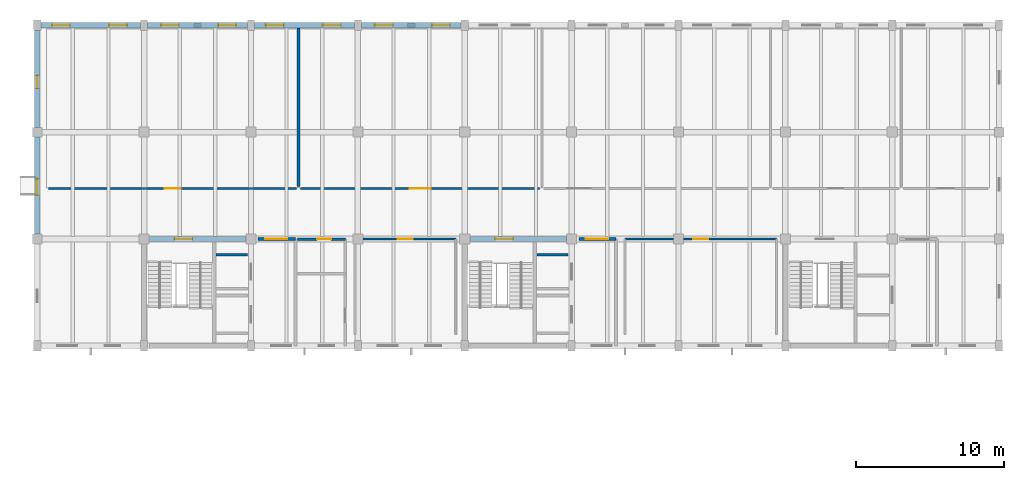
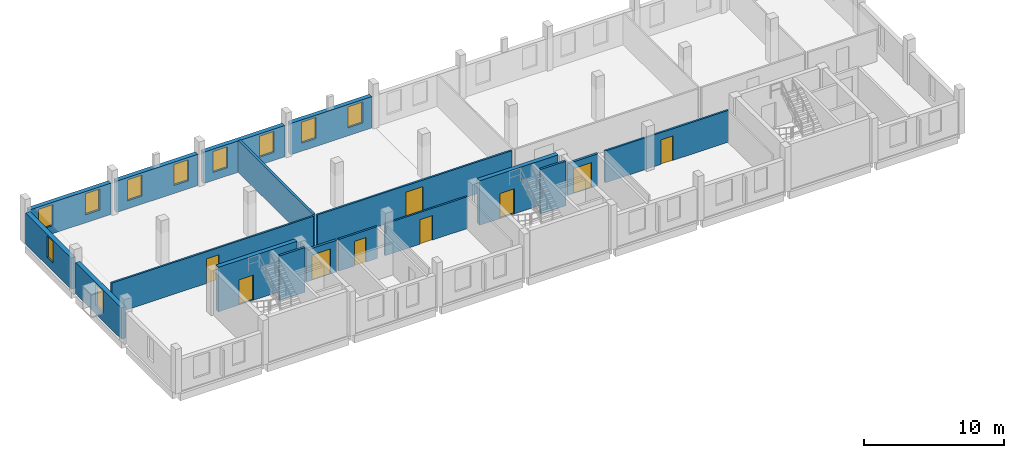
# One storey, part 7 of 11: 18 walls, 10 windows, 9 doors, 19 openings.
"""IFC4 building model written with IfcOpenShell, lengths in metres."""

import ifcopenshell
import ifcopenshell.guid

model = None  # the IFC model being written
_history = None  # IfcOwnerHistory: only IFC2X3 demands one
_inside = {}  # id of a spatial element -> (the spatial element, [elements in it])
_under = {}  # id of a project, library or spatial element -> (it, [spatial elements below it])
_declared = {}  # id of a project -> (the project, [libraries it declares])
_typed = {}  # id of a type object -> (the type object, [elements of that type])
_made_of = {}  # id of a material, layer set ... -> (it, [elements and type objects made of it])


def new_model(schema):
    """Start an empty IFC model of exactly this schema.

    Asked for "IFC4X3", IfcOpenShell would pick the latest addendum, in which some entities
    have other attributes; the version numbers below select the first issue.
    IFC2X3 requires an IfcOwnerHistory on every rooted entity: one is made here for all.
    """
    global model, _history
    if schema == "IFC4X3":
        model = ifcopenshell.file(schema_version=(4, 3, 0, 0))
    else:
        model = ifcopenshell.file(schema=schema)
    _inside.clear()
    _under.clear()
    _declared.clear()
    _typed.clear()
    _made_of.clear()
    _history = None
    if model.schema == "IFC2X3":
        org = make("IfcOrganization", Name="unknown")
        user = make(
            "IfcPersonAndOrganization",
            ThePerson=make("IfcPerson", FamilyName="unknown"),
            TheOrganization=org,
        )
        app = make(
            "IfcApplication",
            ApplicationDeveloper=org,
            Version="unknown",
            ApplicationFullName="unknown",
            ApplicationIdentifier="unknown",
        )
        _history = make(
            "IfcOwnerHistory",
            OwningUser=user,
            OwningApplication=app,
            ChangeAction="ADDED",
            CreationDate=0,
        )
    return model


def make(cls, **values):
    """One entity of the class cls with the attributes given. An attribute that is None is left unset."""
    return model.create_entity(
        cls, **{name: value for name, value in values.items() if value is not None}
    )


def rooted(cls, **values):
    """An entity with a GlobalId (a new one), such as an element, a storey or a relation."""
    return make(cls, GlobalId=ifcopenshell.guid.new(), OwnerHistory=_history, **values)


def si_unit(unit_type, name, prefix=None):
    """IfcSIUnit, for example si_unit("LENGTHUNIT", "METRE", prefix="MILLI")."""
    return make("IfcSIUnit", UnitType=unit_type, Prefix=prefix, Name=name)


def assignment(units):
    """IfcUnitAssignment: the units of a project."""
    return None if units is None else make("IfcUnitAssignment", Units=units)


def point(xyz):
    """IfcCartesianPoint."""
    return None if xyz is None else make("IfcCartesianPoint", Coordinates=xyz)


def direction(xyz):
    """IfcDirection."""
    return None if xyz is None else make("IfcDirection", DirectionRatios=xyz)


def frame(location, z_axis=None, x_axis=None):
    """IfcAxis2Placement3D, a coordinate frame: its origin and axes. An axis left out is left unset."""
    return make(
        "IfcAxis2Placement3D",
        Location=point(location),
        Axis=direction(z_axis),
        RefDirection=direction(x_axis),
    )


def frame_2d(location, x_axis=None):
    """IfcAxis2Placement2D, a coordinate frame in the plane: its origin and x axis."""
    return make(
        "IfcAxis2Placement2D", Location=point(location), RefDirection=direction(x_axis)
    )


def origin():
    """The frame at (0, 0, 0) with its axes left unset."""
    return frame((0.0, 0.0, 0.0))


def place(relative_to, where):
    """IfcLocalPlacement: puts the frame where relative to a parent placement (None: the world)."""
    return make(
        "IfcLocalPlacement", PlacementRelTo=relative_to, RelativePlacement=where
    )


def context(
    kind, dimensions, precision=None, world=None, true_north=None, identifier=None
):
    """IfcGeometricRepresentationContext, for example the 3D "Model" context."""
    return make(
        "IfcGeometricRepresentationContext",
        ContextIdentifier=identifier,
        ContextType=kind,
        CoordinateSpaceDimension=dimensions,
        Precision=precision,
        WorldCoordinateSystem=world,
        TrueNorth=true_north,
    )


def subcontext(parent, identifier, kind, view, scale=None):
    """IfcGeometricRepresentationSubContext, for example "Body" below "Model"."""
    return make(
        "IfcGeometricRepresentationSubContext",
        ContextIdentifier=identifier,
        ContextType=kind,
        ParentContext=parent,
        TargetScale=scale,
        TargetView=view,
    )


def project(units=None, contexts=None):
    """IfcProject with its units and contexts."""
    return rooted(
        "IfcProject",
        Name="project",
        RepresentationContexts=contexts,
        UnitsInContext=assignment(units),
    )


def spatial(cls, under=None, at=None, **own):
    """A site, building, storey or space (cls), placed at a placement, below another one or the project."""
    s = rooted(cls, ObjectPlacement=at, **own)
    if under is not None:
        _under.setdefault(under.id(), (under, []))[1].append(s)
    return s


def profile(cls, at=None, kind="AREA", **sizes):
    """A parametric profile (cls). Its sizes go by their IFC names, for example OverallWidth=200.0."""
    return make(cls, ProfileType=kind, Position=at, **sizes)


def rectangle(**sizes):
    """IfcRectangleProfileDef."""
    return profile("IfcRectangleProfileDef", **sizes)


def extrude(swept, where, along, depth):
    """IfcExtrudedAreaSolid: the profile swept, set in the frame where, extruded along a direction by depth."""
    return make(
        "IfcExtrudedAreaSolid",
        SweptArea=swept,
        Position=where,
        ExtrudedDirection=direction(along),
        Depth=depth,
    )


def shape(context_of_items, identifier, shape_type, items):
    """IfcShapeRepresentation: the items that make up one representation, for example the "Body"."""
    return make(
        "IfcShapeRepresentation",
        ContextOfItems=context_of_items,
        RepresentationIdentifier=identifier,
        RepresentationType=shape_type,
        Items=items,
    )


def material(Name=None, Category=None):
    """IfcMaterial."""
    return make("IfcMaterial", Name=Name, Category=Category)


def layer(
    of_material, thickness, ventilated=None, Name=None, Category=None, Priority=None
):
    """IfcMaterialLayer: one layer of a wall or slab, of a material (None: an air gap)."""
    return make(
        "IfcMaterialLayer",
        Material=of_material,
        LayerThickness=thickness,
        IsVentilated=ventilated,
        Name=Name,
        Category=Category,
        Priority=Priority,
    )


def layer_set(layers, Name=None):
    """IfcMaterialLayerSet."""
    return make("IfcMaterialLayerSet", MaterialLayers=layers, LayerSetName=Name)


def made_of(thing, what):
    """Note that an element or type object is made of a material, layer set ...; save() writes the relation."""
    if what is not None:
        _made_of.setdefault(what.id(), (what, []))[1].append(thing)
    return thing


def type_object(cls, material=None, **own):
    """A type object (cls), such as IfcWallType, which elements share."""
    return made_of(rooted(cls, **own), material)


def element(
    cls,
    number,
    at=None,
    inside=None,
    cuts=None,
    type_object=None,
    material=None,
    context=None,
    identifier="Body",
    shape_type=None,
    held_by="IfcProductDefinitionShape",
    body=None,
    shapes=None,
    **own,
):
    """One element of the class cls, such as IfcWall. Its Tag is "e" and its number.

    at: its placement. inside: the storey or other place that contains it. cuts: it is an
    opening in that element (IfcRelVoidsElement). A single representation is given by context,
    identifier, shape_type and body (its items); several are given by shapes. held_by: the class
    of the entity that holds the representations. save() writes the other relations.
    """
    e = rooted(cls, Tag="e%d" % number, ObjectPlacement=at, **own)
    if body is not None:
        shapes = [shape(context, identifier, shape_type, body)]
    if shapes is not None:
        e.Representation = make(held_by, Representations=shapes)
    if inside is not None:
        _inside.setdefault(inside.id(), (inside, []))[1].append(e)
    if cuts is not None:
        rooted(
            "IfcRelVoidsElement", RelatingBuildingElement=cuts, RelatedOpeningElement=e
        )
    if type_object is not None:
        _typed.setdefault(type_object.id(), (type_object, []))[1].append(e)
    return made_of(e, material)


def fill(opening, filler):
    """IfcRelFillsElement: the door or window that sits in an opening."""
    return rooted(
        "IfcRelFillsElement",
        RelatingOpeningElement=opening,
        RelatedBuildingElement=filler,
    )


def aggregate(whole, parts):
    """IfcRelAggregates: a whole, such as a stair, and the parts it consists of."""
    return rooted("IfcRelAggregates", RelatingObject=whole, RelatedObjects=parts)


def save(model, path):
    """Write the relations noted so far, then the file.

    IfcRelAggregates (storeys below a building ...), IfcRelContainedInSpatialStructure (elements
    in a storey), IfcRelDefinesByType, IfcRelAssociatesMaterial and IfcRelDeclares: one each for
    every whole, place, type object, material and project.
    """
    for whole, parts in _under.values():
        aggregate(whole, parts)
    for where, things in _inside.values():
        rooted(
            "IfcRelContainedInSpatialStructure",
            RelatedElements=things,
            RelatingStructure=where,
        )
    for kind, things in _typed.values():
        rooted("IfcRelDefinesByType", RelatedObjects=things, RelatingType=kind)
    for what, things in _made_of.values():
        rooted("IfcRelAssociatesMaterial", RelatedObjects=things, RelatingMaterial=what)
    for by, libraries in _declared.values():
        rooted("IfcRelDeclares", RelatingContext=by, RelatedDefinitions=libraries)
    model.write(path)


model = new_model("IFC4")

# Units and contexts
model_context = context("Model", 3, precision=1e-05, world=origin(), true_north=direction((0.0, 1.0)))
body_context = subcontext(model_context, "Body", "Model", "MODEL_VIEW")
ifc_project = project(units=[si_unit("LENGTHUNIT", "METRE"), si_unit("AREAUNIT", "SQUARE_METRE"), si_unit("VOLUMEUNIT", "CUBIC_METRE"), si_unit("PLANEANGLEUNIT", "RADIAN"), si_unit("MASSUNIT", "GRAM", prefix="KILO")], contexts=[model_context])

# Site, building, storey
site_placement = place(None, origin())
site = spatial("IfcSite", under=ifc_project, at=site_placement, CompositionType="ELEMENT")
building_placement = place(site_placement, origin())
building = spatial("IfcBuilding", under=site, at=building_placement, Name="Qiaolan Assembly House", CompositionType="ELEMENT")
storey_placement = place(building_placement, frame((0.0, 0.0, 26.39990234375)))
storey = spatial("IfcBuildingStorey", under=building, at=storey_placement, Name="L06", CompositionType="ELEMENT", Elevation=26.39990234375)

# Wall, opening, door
ifc_material_1 = material(Name="Concrete C40/50", Category="concrete")
ifc_layer_1 = layer(ifc_material_1, 0.35009765625)
ifc_layer_set_1 = layer_set([ifc_layer_1], Name="Concrete C40/50")
wall_type_1 = type_object("IfcWallType", Name="WAL-CORE-350", PredefinedType="SHEAR", material=ifc_layer_set_1)
wall_1_placement = place(storey_placement, frame((50.050048828125, 100.800048828125, 0.0), z_axis=(0.0, 0.0, 1.0), x_axis=(-1.0, 0.0, 0.0)))
wall_1 = element("IfcWall", 1, at=wall_1_placement, inside=storey, type_object=wall_type_1, Name="CW-350 shear core wall CORE-A N L06", PredefinedType="SHEAR", context=body_context, shape_type="SweptSolid", body=[
    extrude(rectangle(XDim=6.5, YDim=0.35009765625, at=frame_2d((3.25, 0.0))), origin(), (0.0, 0.0, 1.0), 3.900146484375),
])
opening_1_placement = place(wall_1_placement, frame((3.60009765625, 0.0, 0.0)))
opening_1 = element("IfcOpeningElement", 2, at=opening_1_placement, cuts=wall_1, Name="Opening FD-027", PredefinedType="OPENING", context=body_context, shape_type="SweptSolid", body=[
    extrude(rectangle(XDim=1.199951171875, YDim=2.199951171875, at=frame_2d((0.60009765625, 1.10009765625))), frame((0.0, 0.18505859375, 0.0), z_axis=(0.0, -1.0, 0.0), x_axis=(1.0, 0.0, 0.0)), (0.0, 0.0, 1.0), 0.3701171875),
])
ifc_material_2 = material(Name="Steel Q355B", Category="steel")
door_type_1 = type_object("IfcDoorType", Name="DOR-FIRE-FD90-1200", OperationType="NOTDEFINED", PredefinedType="DOOR", material=ifc_material_2)
door_1_placement = place(opening_1_placement, frame((1.199951171875, 0.0, 0.0), z_axis=(0.0, 0.0, 1.0), x_axis=(-1.0, 0.0, 0.0)))
door_1 = element("IfcDoor", 3, at=door_1_placement, inside=storey, type_object=door_type_1, Name="Stairwell fire door FD-027 (CORE-A L06)", OperationType="SINGLE_SWING_LEFT", OverallHeight=2.199951171875, OverallWidth=1.199951171875, PredefinedType="DOOR", context=body_context, shape_type="SweptSolid", body=[
    extrude(rectangle(XDim=1.199951171875, YDim=2.199951171875, at=frame_2d((0.60009765625, 1.10009765625))), frame((0.0, 0.02490234375, 0.0), z_axis=(0.0, -1.0, 0.0), x_axis=(1.0, 0.0, 0.0)), (0.0, 0.0, 1.0), 0.050048828125),
])
fill(opening_1, door_1)

wall_2_placement = place(storey_placement, frame((71.64990234375, 100.800048828125, 0.0), z_axis=(0.0, 0.0, 1.0), x_axis=(-1.0, 0.0, 0.0)))
wall_2 = element("IfcWall", 4, at=wall_2_placement, inside=storey, type_object=wall_type_1, Name="CW-350 shear core wall CORE-B N L06", PredefinedType="SHEAR", context=body_context, shape_type="SweptSolid", body=[
    extrude(rectangle(XDim=6.5, YDim=0.35009765625, at=frame_2d((3.25, 0.0))), origin(), (0.0, 0.0, 1.0), 3.900146484375),
])
opening_2_placement = place(wall_2_placement, frame((3.60009765625, 0.0, 0.0)))
opening_2 = element("IfcOpeningElement", 5, at=opening_2_placement, cuts=wall_2, Name="Opening FD-049", PredefinedType="OPENING", context=body_context, shape_type="SweptSolid", body=[
    extrude(rectangle(XDim=1.199951171875, YDim=2.199951171875, at=frame_2d((0.60009765625, 1.10009765625))), frame((0.0, 0.18505859375, 0.0), z_axis=(0.0, -1.0, 0.0), x_axis=(1.0, 0.0, 0.0)), (0.0, 0.0, 1.0), 0.3701171875),
])
door_2_placement = place(opening_2_placement, frame((1.199951171875, 0.0, 0.0), z_axis=(0.0, 0.0, 1.0), x_axis=(-1.0, 0.0, 0.0)))
door_2 = element("IfcDoor", 6, at=door_2_placement, inside=storey, type_object=door_type_1, Name="Stairwell fire door FD-049 (CORE-B L06)", OperationType="SINGLE_SWING_RIGHT", OverallHeight=2.199951171875, OverallWidth=1.199951171875, PredefinedType="DOOR", context=body_context, shape_type="SweptSolid", body=[
    extrude(rectangle(XDim=1.199951171875, YDim=2.199951171875, at=frame_2d((0.60009765625, 1.10009765625))), frame((0.0, 0.02490234375, 0.0), z_axis=(0.0, -1.0, 0.0), x_axis=(1.0, 0.0, 0.0)), (0.0, 0.0, 1.0), 0.050048828125),
])
fill(opening_2, door_2)

# Wall, openings, windows
ifc_material_3 = material(Name="Honed pale limestone", Category="masonry")
ifc_layer_2 = layer(ifc_material_3, 0.360107421875)
ifc_layer_set_2 = layer_set([ifc_layer_2], Name="Honed pale limestone")
wall_type_2 = type_object("IfcWallType", Name="WAL-EXT-LIMESTONE-360", PredefinedType="SOLIDWALL", material=ifc_layer_set_2)
wall_3_placement = place(storey_placement, frame((42.9619140625, 115.199951171875, 0.0), z_axis=(0.0, 0.0, 1.0), x_axis=(-1.0, 0.0, 0.0)))
wall_3 = element("IfcWall", 7, at=wall_3_placement, inside=storey, type_object=wall_type_2, Name="EW-360 NW North street wall L06 bay 1", PredefinedType="SOLIDWALL", context=body_context, shape_type="SweptSolid", body=[
    extrude(rectangle(XDim=6.723876953125, YDim=0.360107421875, at=frame_2d((3.36181640625, 0.0))), origin(), (0.0, 0.0, 1.0), 2.739990234375),
])
opening_3_placement = place(wall_3_placement, frame((0.912109375, 0.0, 0.699951171875)))
opening_3 = element("IfcOpeningElement", 8, at=opening_3_placement, cuts=wall_3, Name="Opening WN-188", PredefinedType="OPENING", context=body_context, shape_type="SweptSolid", body=[
    extrude(rectangle(XDim=1.199951171875, YDim=1.840087890625, at=frame_2d((0.60009765625, 0.919921875))), frame((0.0, 0.18994140625, 0.0), z_axis=(0.0, -1.0, 0.0), x_axis=(1.0, 0.0, 0.0)), (0.0, 0.0, 1.0), 0.380126953125),
])
opening_4_placement = place(wall_3_placement, frame((4.761962890625, 0.0, 0.699951171875)))
opening_4 = element("IfcOpeningElement", 9, at=opening_4_placement, cuts=wall_3, Name="Opening WN-189", PredefinedType="OPENING", context=body_context, shape_type="SweptSolid", body=[
    extrude(rectangle(XDim=1.199951171875, YDim=1.840087890625, at=frame_2d((0.60009765625, 0.919921875))), frame((0.0, 0.18994140625, 0.0), z_axis=(0.0, -1.0, 0.0), x_axis=(1.0, 0.0, 0.0)), (0.0, 0.0, 1.0), 0.380126953125),
])
ifc_material_4 = material(Name="Low-E double insulating glass", Category="glass")
window_type_1 = type_object("IfcWindowType", Name="WIN-ATTIC-1200x2100", PartitioningType="DOUBLE_PANEL_VERTICAL", PredefinedType="WINDOW", material=ifc_material_4)
window_1_placement = place(opening_3_placement, origin())
window_1 = element("IfcWindow", 10, at=window_1_placement, inside=storey, type_object=window_type_1, Name="WN-T08 window WN-188", OverallHeight=1.840087890625, OverallWidth=1.199951171875, PartitioningType="DOUBLE_PANEL_VERTICAL", PredefinedType="WINDOW", context=body_context, shape_type="SweptSolid", body=[
    extrude(rectangle(XDim=1.199951171875, YDim=1.840087890625, at=frame_2d((0.60009765625, 0.919921875))), frame((0.0, 0.030029296875, 0.0), z_axis=(0.0, -1.0, 0.0), x_axis=(1.0, 0.0, 0.0)), (0.0, 0.0, 1.0), 0.06005859375),
])
fill(opening_3, window_1)
window_2_placement = place(opening_4_placement, origin())
window_2 = element("IfcWindow", 11, at=window_2_placement, inside=storey, type_object=window_type_1, Name="WN-T08 window WN-189", OverallHeight=1.840087890625, OverallWidth=1.199951171875, PartitioningType="DOUBLE_PANEL_VERTICAL", PredefinedType="WINDOW", context=body_context, shape_type="SweptSolid", body=[
    extrude(rectangle(XDim=1.199951171875, YDim=1.840087890625, at=frame_2d((0.60009765625, 0.919921875))), frame((0.0, 0.030029296875, 0.0), z_axis=(0.0, -1.0, 0.0), x_axis=(1.0, 0.0, 0.0)), (0.0, 0.0, 1.0), 0.06005859375),
])
fill(opening_4, window_2)

wall_4_placement = place(storey_placement, frame((50.162109375, 115.199951171875, 0.0), z_axis=(0.0, 0.0, 1.0), x_axis=(-1.0, 0.0, 0.0)))
wall_4 = element("IfcWall", 12, at=wall_4_placement, inside=storey, type_object=wall_type_2, Name="EW-360 NW North street wall L06 bay 2", PredefinedType="SOLIDWALL", context=body_context, shape_type="SweptSolid", body=[
    extrude(rectangle(XDim=6.72412109375, YDim=0.360107421875, at=frame_2d((3.362060546875, 0.0))), origin(), (0.0, 0.0, 1.0), 2.739990234375),
])
opening_5_placement = place(wall_4_placement, frame((0.761962890625, 0.0, 0.699951171875)))
opening_5 = element("IfcOpeningElement", 13, at=opening_5_placement, cuts=wall_4, Name="Opening WN-190", PredefinedType="OPENING", context=body_context, shape_type="SweptSolid", body=[
    extrude(rectangle(XDim=1.199951171875, YDim=1.840087890625, at=frame_2d((0.60009765625, 0.919921875))), frame((0.0, 0.18994140625, 0.0), z_axis=(0.0, -1.0, 0.0), x_axis=(1.0, 0.0, 0.0)), (0.0, 0.0, 1.0), 0.380126953125),
])
opening_6_placement = place(wall_4_placement, frame((4.612060546875, 0.0, 0.699951171875)))
opening_6 = element("IfcOpeningElement", 14, at=opening_6_placement, cuts=wall_4, Name="Opening WN-191", PredefinedType="OPENING", context=body_context, shape_type="SweptSolid", body=[
    extrude(rectangle(XDim=1.199951171875, YDim=1.840087890625, at=frame_2d((0.60009765625, 0.919921875))), frame((0.0, 0.18994140625, 0.0), z_axis=(0.0, -1.0, 0.0), x_axis=(1.0, 0.0, 0.0)), (0.0, 0.0, 1.0), 0.380126953125),
])
window_3_placement = place(opening_5_placement, origin())
window_3 = element("IfcWindow", 15, at=window_3_placement, inside=storey, type_object=window_type_1, Name="WN-T08 window WN-190", OverallHeight=1.840087890625, OverallWidth=1.199951171875, PartitioningType="DOUBLE_PANEL_VERTICAL", PredefinedType="WINDOW", context=body_context, shape_type="SweptSolid", body=[
    extrude(rectangle(XDim=1.199951171875, YDim=1.840087890625, at=frame_2d((0.60009765625, 0.919921875))), frame((0.0, 0.030029296875, 0.0), z_axis=(0.0, -1.0, 0.0), x_axis=(1.0, 0.0, 0.0)), (0.0, 0.0, 1.0), 0.06005859375),
])
fill(opening_5, window_3)
window_4_placement = place(opening_6_placement, origin())
window_4 = element("IfcWindow", 16, at=window_4_placement, inside=storey, type_object=window_type_1, Name="WN-T08 window WN-191", OverallHeight=1.840087890625, OverallWidth=1.199951171875, PartitioningType="DOUBLE_PANEL_VERTICAL", PredefinedType="WINDOW", context=body_context, shape_type="SweptSolid", body=[
    extrude(rectangle(XDim=1.199951171875, YDim=1.840087890625, at=frame_2d((0.60009765625, 0.919921875))), frame((0.0, 0.030029296875, 0.0), z_axis=(0.0, -1.0, 0.0), x_axis=(1.0, 0.0, 0.0)), (0.0, 0.0, 1.0), 0.06005859375),
])
fill(opening_6, window_4)

wall_5_placement = place(storey_placement, frame((57.362060546875, 115.199951171875, 0.0), z_axis=(0.0, 0.0, 1.0), x_axis=(-1.0, 0.0, 0.0)))
wall_5 = element("IfcWall", 17, at=wall_5_placement, inside=storey, type_object=wall_type_2, Name="EW-360 NW North street wall L06 bay 3", PredefinedType="SOLIDWALL", context=body_context, shape_type="SweptSolid", body=[
    extrude(rectangle(XDim=6.72412109375, YDim=0.360107421875, at=frame_2d((3.362060546875, 0.0))), origin(), (0.0, 0.0, 1.0), 2.739990234375),
])
opening_7_placement = place(wall_5_placement, frame((0.912109375, 0.0, 0.699951171875)))
opening_7 = element("IfcOpeningElement", 18, at=opening_7_placement, cuts=wall_5, Name="Opening WN-192", PredefinedType="OPENING", context=body_context, shape_type="SweptSolid", body=[
    extrude(rectangle(XDim=1.199951171875, YDim=1.840087890625, at=frame_2d((0.60009765625, 0.919921875))), frame((0.0, 0.18994140625, 0.0), z_axis=(0.0, -1.0, 0.0), x_axis=(1.0, 0.0, 0.0)), (0.0, 0.0, 1.0), 0.380126953125),
])
opening_8_placement = place(wall_5_placement, frame((4.761962890625, 0.0, 0.699951171875)))
opening_8 = element("IfcOpeningElement", 19, at=opening_8_placement, cuts=wall_5, Name="Opening WN-193", PredefinedType="OPENING", context=body_context, shape_type="SweptSolid", body=[
    extrude(rectangle(XDim=1.199951171875, YDim=1.840087890625, at=frame_2d((0.60009765625, 0.919921875))), frame((0.0, 0.18994140625, 0.0), z_axis=(0.0, -1.0, 0.0), x_axis=(1.0, 0.0, 0.0)), (0.0, 0.0, 1.0), 0.380126953125),
])
window_5_placement = place(opening_7_placement, origin())
window_5 = element("IfcWindow", 20, at=window_5_placement, inside=storey, type_object=window_type_1, Name="WN-T08 window WN-192", OverallHeight=1.840087890625, OverallWidth=1.199951171875, PartitioningType="DOUBLE_PANEL_VERTICAL", PredefinedType="WINDOW", context=body_context, shape_type="SweptSolid", body=[
    extrude(rectangle(XDim=1.199951171875, YDim=1.840087890625, at=frame_2d((0.60009765625, 0.919921875))), frame((0.0, 0.030029296875, 0.0), z_axis=(0.0, -1.0, 0.0), x_axis=(1.0, 0.0, 0.0)), (0.0, 0.0, 1.0), 0.06005859375),
])
fill(opening_7, window_5)
window_6_placement = place(opening_8_placement, origin())
window_6 = element("IfcWindow", 21, at=window_6_placement, inside=storey, type_object=window_type_1, Name="WN-T08 window WN-193", OverallHeight=1.840087890625, OverallWidth=1.199951171875, PartitioningType="DOUBLE_PANEL_VERTICAL", PredefinedType="WINDOW", context=body_context, shape_type="SweptSolid", body=[
    extrude(rectangle(XDim=1.199951171875, YDim=1.840087890625, at=frame_2d((0.60009765625, 0.919921875))), frame((0.0, 0.030029296875, 0.0), z_axis=(0.0, -1.0, 0.0), x_axis=(1.0, 0.0, 0.0)), (0.0, 0.0, 1.0), 0.06005859375),
])
fill(opening_8, window_6)

wall_6_placement = place(storey_placement, frame((64.56201171875, 115.199951171875, 0.0), z_axis=(0.0, 0.0, 1.0), x_axis=(-1.0, 0.0, 0.0)))
wall_6 = element("IfcWall", 22, at=wall_6_placement, inside=storey, type_object=wall_type_2, Name="EW-360 NW North street wall L06 bay 4", PredefinedType="SOLIDWALL", context=body_context, shape_type="SweptSolid", body=[
    extrude(rectangle(XDim=6.72412109375, YDim=0.360107421875, at=frame_2d((3.362060546875, 0.0))), origin(), (0.0, 0.0, 1.0), 2.739990234375),
])
opening_9_placement = place(wall_6_placement, frame((0.761962890625, 0.0, 0.699951171875)))
opening_9 = element("IfcOpeningElement", 23, at=opening_9_placement, cuts=wall_6, Name="Opening WN-194", PredefinedType="OPENING", context=body_context, shape_type="SweptSolid", body=[
    extrude(rectangle(XDim=1.199951171875, YDim=1.840087890625, at=frame_2d((0.60009765625, 0.919921875))), frame((0.0, 0.18994140625, 0.0), z_axis=(0.0, -1.0, 0.0), x_axis=(1.0, 0.0, 0.0)), (0.0, 0.0, 1.0), 0.380126953125),
])
opening_10_placement = place(wall_6_placement, frame((4.612060546875, 0.0, 0.699951171875)))
opening_10 = element("IfcOpeningElement", 24, at=opening_10_placement, cuts=wall_6, Name="Opening WN-195", PredefinedType="OPENING", context=body_context, shape_type="SweptSolid", body=[
    extrude(rectangle(XDim=1.199951171875, YDim=1.840087890625, at=frame_2d((0.60009765625, 0.919921875))), frame((0.0, 0.18994140625, 0.0), z_axis=(0.0, -1.0, 0.0), x_axis=(1.0, 0.0, 0.0)), (0.0, 0.0, 1.0), 0.380126953125),
])
window_7_placement = place(opening_9_placement, origin())
window_7 = element("IfcWindow", 25, at=window_7_placement, inside=storey, type_object=window_type_1, Name="WN-T08 window WN-194", OverallHeight=1.840087890625, OverallWidth=1.199951171875, PartitioningType="DOUBLE_PANEL_VERTICAL", PredefinedType="WINDOW", context=body_context, shape_type="SweptSolid", body=[
    extrude(rectangle(XDim=1.199951171875, YDim=1.840087890625, at=frame_2d((0.60009765625, 0.919921875))), frame((0.0, 0.030029296875, 0.0), z_axis=(0.0, -1.0, 0.0), x_axis=(1.0, 0.0, 0.0)), (0.0, 0.0, 1.0), 0.06005859375),
])
fill(opening_9, window_7)
window_8_placement = place(opening_10_placement, origin())
window_8 = element("IfcWindow", 26, at=window_8_placement, inside=storey, type_object=window_type_1, Name="WN-T08 window WN-195", OverallHeight=1.840087890625, OverallWidth=1.199951171875, PartitioningType="DOUBLE_PANEL_VERTICAL", PredefinedType="WINDOW", context=body_context, shape_type="SweptSolid", body=[
    extrude(rectangle(XDim=1.199951171875, YDim=1.840087890625, at=frame_2d((0.60009765625, 0.919921875))), frame((0.0, 0.030029296875, 0.0), z_axis=(0.0, -1.0, 0.0), x_axis=(1.0, 0.0, 0.0)), (0.0, 0.0, 1.0), 0.06005859375),
])
fill(opening_10, window_8)

# Wall, opening, window
wall_7_placement = place(storey_placement, frame((36.0, 101.123046875, 0.0), z_axis=(0.0, 0.0, 1.0), x_axis=(0.0, 1.0, 0.0)))
wall_7 = element("IfcWall", 27, at=wall_7_placement, inside=storey, type_object=wall_type_2, Name="NW West avenue wall L06-2", PredefinedType="SOLIDWALL", context=body_context, shape_type="SweptSolid", body=[
    extrude(rectangle(XDim=6.553955078125, YDim=0.360107421875, at=frame_2d((3.27685546875, 0.0))), origin(), (0.0, 0.0, 1.0), 2.739990234375),
])
opening_11_placement = place(wall_7_placement, frame((2.626953125, 0.0, 0.699951171875)))
opening_11 = element("IfcOpeningElement", 28, at=opening_11_placement, cuts=wall_7, Name="Opening WN-220", PredefinedType="OPENING", context=body_context, shape_type="SweptSolid", body=[
    extrude(rectangle(XDim=1.10009765625, YDim=1.889892578125, at=frame_2d((0.550048828125, 0.94482421875))), frame((0.0, 0.18994140625, 0.0), z_axis=(0.0, -1.0, 0.0), x_axis=(1.0, 0.0, 0.0)), (0.0, 0.0, 1.0), 0.380126953125),
])
window_type_2 = type_object("IfcWindowType", Name="WIN-BOX-1100x2350", PartitioningType="SINGLE_PANEL", PredefinedType="WINDOW", material=ifc_material_4)
window_9_placement = place(opening_11_placement, origin())
window_9 = element("IfcWindow", 29, at=window_9_placement, inside=storey, type_object=window_type_2, Name="NW West window WN-220", OverallHeight=1.889892578125, OverallWidth=1.10009765625, PartitioningType="SINGLE_PANEL", PredefinedType="WINDOW", context=body_context, shape_type="SweptSolid", body=[
    extrude(rectangle(XDim=1.10009765625, YDim=1.889892578125, at=frame_2d((0.550048828125, 0.94482421875))), frame((0.0, 0.030029296875, 0.0), z_axis=(0.0, -1.0, 0.0), x_axis=(1.0, 0.0, 0.0)), (0.0, 0.0, 1.0), 0.06005859375),
])
fill(opening_11, window_9)

wall_8_placement = place(storey_placement, frame((36.0, 108.322998046875, 0.0), z_axis=(0.0, 0.0, 1.0), x_axis=(0.0, 1.0, 0.0)))
wall_8 = element("IfcWall", 30, at=wall_8_placement, inside=storey, type_object=wall_type_2, Name="NW West avenue wall L06-3", PredefinedType="SOLIDWALL", context=body_context, shape_type="SweptSolid", body=[
    extrude(rectangle(XDim=6.52392578125, YDim=0.360107421875, at=frame_2d((3.261962890625, 0.0))), origin(), (0.0, 0.0, 1.0), 2.739990234375),
])
opening_12_placement = place(wall_8_placement, frame((2.626953125, 0.0, 0.699951171875)))
opening_12 = element("IfcOpeningElement", 31, at=opening_12_placement, cuts=wall_8, Name="Opening WN-222", PredefinedType="OPENING", context=body_context, shape_type="SweptSolid", body=[
    extrude(rectangle(XDim=0.85009765625, YDim=1.889892578125, at=frame_2d((0.425048828125, 0.94482421875))), frame((0.0, 0.18994140625, 0.0), z_axis=(0.0, -1.0, 0.0), x_axis=(1.0, 0.0, 0.0)), (0.0, 0.0, 1.0), 0.380126953125),
])
window_type_3 = type_object("IfcWindowType", Name="WIN-END-850x2200", PartitioningType="SINGLE_PANEL", PredefinedType="WINDOW", material=ifc_material_4)
window_10_placement = place(opening_12_placement, origin())
window_10 = element("IfcWindow", 32, at=window_10_placement, inside=storey, type_object=window_type_3, Name="NW West window WN-222", OverallHeight=1.889892578125, OverallWidth=0.85009765625, PartitioningType="SINGLE_PANEL", PredefinedType="WINDOW", context=body_context, shape_type="SweptSolid", body=[
    extrude(rectangle(XDim=0.85009765625, YDim=1.889892578125, at=frame_2d((0.425048828125, 0.94482421875))), frame((0.0, 0.030029296875, 0.0), z_axis=(0.0, -1.0, 0.0), x_axis=(1.0, 0.0, 0.0)), (0.0, 0.0, 1.0), 0.06005859375),
])
fill(opening_12, window_10)

# Wall, opening, door
ifc_material_5 = material(Name="Concrete C35/45", Category="concrete")
ifc_layer_3 = layer(ifc_material_5, 0.199951171875)
ifc_layer_set_3 = layer_set([ifc_layer_3], Name="Concrete C35/45")
wall_type_3 = type_object("IfcWallType", Name="WAL-LOBBY-200", PredefinedType="PARTITIONING", material=ifc_layer_set_3)
wall_9_placement = place(storey_placement, frame((53.39990234375, 100.800048828125, 0.0), z_axis=(0.0, 0.0, 1.0), x_axis=(-1.0, 0.0, 0.0)))
wall_9 = element("IfcWall", 33, at=wall_9_placement, inside=storey, type_object=wall_type_3, Name="Firefighting lift lobby north wall CORE-A L06", PredefinedType="PARTITIONING", context=body_context, shape_type="SweptSolid", body=[
    extrude(rectangle(XDim=2.52001953125, YDim=0.199951171875, at=frame_2d((1.260009765625, 0.0))), origin(), (0.0, 0.0, 1.0), 2.780029296875),
])
opening_13_placement = place(wall_9_placement, frame((0.550048828125, 0.0, 0.0)))
opening_13 = element("IfcOpeningElement", 34, at=opening_13_placement, cuts=wall_9, Name="Opening FD-028", PredefinedType="OPENING", context=body_context, shape_type="SweptSolid", body=[
    extrude(rectangle(XDim=1.5, YDim=2.199951171875, at=frame_2d((0.75, 1.10009765625))), frame((0.0, 0.10986328125, 0.0), z_axis=(0.0, -1.0, 0.0), x_axis=(1.0, 0.0, 0.0)), (0.0, 0.0, 1.0), 0.219970703125),
])
ifc_material_6 = material(Name="Acoustic oak panelling")
door_type_2 = type_object("IfcDoorType", Name="DOR-LOBBY-FD60-1500", OperationType="DOUBLE_DOOR_SINGLE_SWING", PredefinedType="DOOR", material=ifc_material_6)
door_3_placement = place(opening_13_placement, frame((1.5, 0.0, 0.0), z_axis=(0.0, 0.0, 1.0), x_axis=(-1.0, 0.0, 0.0)))
door_3 = element("IfcDoor", 35, at=door_3_placement, inside=storey, type_object=door_type_2, Name="Lobby corridor fire door FD-028", OperationType="DOUBLE_DOOR_SINGLE_SWING", OverallHeight=2.199951171875, OverallWidth=1.5, PredefinedType="DOOR", context=body_context, shape_type="SweptSolid", body=[
    extrude(rectangle(XDim=1.5, YDim=2.199951171875, at=frame_2d((0.75, 1.10009765625))), frame((0.0, 0.02490234375, 0.0), z_axis=(0.0, -1.0, 0.0), x_axis=(1.0, 0.0, 0.0)), (0.0, 0.0, 1.0), 0.050048828125),
])
fill(opening_13, door_3)

wall_10_placement = place(storey_placement, frame((75.0, 100.800048828125, 0.0), z_axis=(0.0, 0.0, 1.0), x_axis=(-1.0, 0.0, 0.0)))
wall_10 = element("IfcWall", 36, at=wall_10_placement, inside=storey, type_object=wall_type_3, Name="Firefighting lift lobby north wall CORE-B L06", PredefinedType="PARTITIONING", context=body_context, shape_type="SweptSolid", body=[
    extrude(rectangle(XDim=2.52001953125, YDim=0.199951171875, at=frame_2d((1.260009765625, 0.0))), origin(), (0.0, 0.0, 1.0), 2.780029296875),
])
opening_14_placement = place(wall_10_placement, frame((0.550048828125, 0.0, 0.0)))
opening_14 = element("IfcOpeningElement", 37, at=opening_14_placement, cuts=wall_10, Name="Opening FD-050", PredefinedType="OPENING", context=body_context, shape_type="SweptSolid", body=[
    extrude(rectangle(XDim=1.5, YDim=2.199951171875, at=frame_2d((0.75, 1.10009765625))), frame((0.0, 0.10986328125, 0.0), z_axis=(0.0, -1.0, 0.0), x_axis=(1.0, 0.0, 0.0)), (0.0, 0.0, 1.0), 0.219970703125),
])
door_4_placement = place(opening_14_placement, frame((1.5, 0.0, 0.0), z_axis=(0.0, 0.0, 1.0), x_axis=(-1.0, 0.0, 0.0)))
door_4 = element("IfcDoor", 38, at=door_4_placement, inside=storey, type_object=door_type_2, Name="Lobby corridor fire door FD-050", OperationType="DOUBLE_DOOR_SINGLE_SWING", OverallHeight=2.199951171875, OverallWidth=1.5, PredefinedType="DOOR", context=body_context, shape_type="SweptSolid", body=[
    extrude(rectangle(XDim=1.5, YDim=2.199951171875, at=frame_2d((0.75, 1.10009765625))), frame((0.0, 0.02490234375, 0.0), z_axis=(0.0, -1.0, 0.0), x_axis=(1.0, 0.0, 0.0)), (0.0, 0.0, 1.0), 0.050048828125),
])
fill(opening_14, door_4)

ifc_material_7 = material(Name="Gypsum plasterboard partition")
ifc_layer_4 = layer(ifc_material_7, 0.14990234375)
ifc_layer_set_4 = layer_set([ifc_layer_4], Name="Gypsum plasterboard partition")
wall_type_4 = type_object("IfcWallType", Name="WAL-PART-150", PredefinedType="PARTITIONING", material=ifc_layer_set_4)
wall_11_placement = place(storey_placement, frame((36.75, 104.199951171875, 0.0), z_axis=(0.0, 0.0, 1.0), x_axis=(1.0, 0.0, 0.0)))
wall_11 = element("IfcWall", 39, at=wall_11_placement, inside=storey, type_object=wall_type_4, Name="Municipal Secretariat General Office corridor wall", PredefinedType="PARTITIONING", context=body_context, shape_type="SweptSolid", body=[
    extrude(rectangle(XDim=16.699951171875, YDim=0.14990234375, at=frame_2d((8.35009765625, 0.0))), origin(), (0.0, 0.0, 1.0), 2.780029296875),
])
opening_15_placement = place(wall_11_placement, frame((7.824951171875, 0.0, 0.0)))
opening_15 = element("IfcOpeningElement", 40, at=opening_15_placement, cuts=wall_11, Name="Opening ND-222", PredefinedType="OPENING", context=body_context, shape_type="SweptSolid", body=[
    extrude(rectangle(XDim=1.050048828125, YDim=2.14990234375, at=frame_2d((0.52490234375, 1.074951171875))), frame((0.0, 0.0849609375, 0.0), z_axis=(0.0, -1.0, 0.0), x_axis=(1.0, 0.0, 0.0)), (0.0, 0.0, 1.0), 0.169921875),
])
door_type_3 = type_object("IfcDoorType", Name="DOR-OFF-LRG-1050", OperationType="NOTDEFINED", PredefinedType="DOOR", material=ifc_material_6)
door_5_placement = place(opening_15_placement, origin())
door_5 = element("IfcDoor", 41, at=door_5_placement, inside=storey, type_object=door_type_3, Name="Municipal Secretariat General Office door ND-222", OperationType="SINGLE_SWING_LEFT", OverallHeight=2.14990234375, OverallWidth=1.050048828125, PredefinedType="DOOR", context=body_context, shape_type="SweptSolid", body=[
    extrude(rectangle(XDim=1.050048828125, YDim=2.14990234375, at=frame_2d((0.52490234375, 1.074951171875))), frame((0.0, 0.02490234375, 0.0), z_axis=(0.0, -1.0, 0.0), x_axis=(1.0, 0.0, 0.0)), (0.0, 0.0, 1.0), 0.050048828125),
])
fill(opening_15, door_5)

wall_12_placement = place(storey_placement, frame((53.75, 104.199951171875, 0.0), z_axis=(0.0, 0.0, 1.0), x_axis=(1.0, 0.0, 0.0)))
wall_12 = element("IfcWall", 42, at=wall_12_placement, inside=storey, type_object=wall_type_4, Name="Executive Policy Coordination Boardroom corridor wall", PredefinedType="PARTITIONING", context=body_context, shape_type="SweptSolid", body=[
    extrude(rectangle(XDim=16.10009765625, YDim=0.14990234375, at=frame_2d((8.050048828125, 0.0))), origin(), (0.0, 0.0, 1.0), 2.780029296875),
])
opening_16_placement = place(wall_12_placement, frame((7.35009765625, 0.0, 0.0)))
opening_16 = element("IfcOpeningElement", 43, at=opening_16_placement, cuts=wall_12, Name="Opening ND-223", PredefinedType="OPENING", context=body_context, shape_type="SweptSolid", body=[
    extrude(rectangle(XDim=1.39990234375, YDim=2.199951171875, at=frame_2d((0.699951171875, 1.10009765625))), frame((0.0, 0.0849609375, 0.0), z_axis=(0.0, -1.0, 0.0), x_axis=(1.0, 0.0, 0.0)), (0.0, 0.0, 1.0), 0.169921875),
])
door_type_4 = type_object("IfcDoorType", Name="DOR-ARCH-DBL-1400", OperationType="DOUBLE_DOOR_SINGLE_SWING", PredefinedType="DOOR", material=ifc_material_6)
door_6_placement = place(opening_16_placement, origin())
door_6 = element("IfcDoor", 44, at=door_6_placement, inside=storey, type_object=door_type_4, Name="Executive Policy Coordination Boardroom door ND-223", OperationType="DOUBLE_DOOR_SINGLE_SWING", OverallHeight=2.199951171875, OverallWidth=1.39990234375, PredefinedType="DOOR", context=body_context, shape_type="SweptSolid", body=[
    extrude(rectangle(XDim=1.39990234375, YDim=2.199951171875, at=frame_2d((0.699951171875, 1.10009765625))), frame((0.0, 0.02490234375, 0.0), z_axis=(0.0, -1.0, 0.0), x_axis=(1.0, 0.0, 0.0)), (0.0, 0.0, 1.0), 0.050048828125),
])
fill(opening_16, door_6)

wall_13_placement = place(storey_placement, frame((64.199951171875, 100.800048828125, 0.0), z_axis=(0.0, 0.0, 1.0), x_axis=(-1.0, 0.0, 0.0)))
wall_13 = element("IfcWall", 45, at=wall_13_placement, inside=storey, type_object=wall_type_4, Name="Executive Secretariat Research Room corridor wall", PredefinedType="PARTITIONING", context=body_context, shape_type="SweptSolid", body=[
    extrude(rectangle(XDim=6.800048828125, YDim=0.14990234375, at=frame_2d((3.39990234375, 0.0))), origin(), (0.0, 0.0, 1.0), 2.780029296875),
])
opening_17_placement = place(wall_13_placement, frame((2.89990234375, 0.0, 0.0)))
opening_17 = element("IfcOpeningElement", 46, at=opening_17_placement, cuts=wall_13, Name="Opening SD-227", PredefinedType="OPENING", context=body_context, shape_type="SweptSolid", body=[
    extrude(rectangle(XDim=1.0, YDim=2.14990234375, at=frame_2d((0.5, 1.074951171875))), frame((0.0, 0.0849609375, 0.0), z_axis=(0.0, -1.0, 0.0), x_axis=(1.0, 0.0, 0.0)), (0.0, 0.0, 1.0), 0.169921875),
])
door_type_5 = type_object("IfcDoorType", Name="DOR-OFF-SGL-1000", OperationType="NOTDEFINED", PredefinedType="DOOR", material=ifc_material_6)
door_7_placement = place(opening_17_placement, origin())
door_7 = element("IfcDoor", 47, at=door_7_placement, inside=storey, type_object=door_type_5, Name="Executive Secretariat Research Room door SD-227", OperationType="SINGLE_SWING_RIGHT", OverallHeight=2.14990234375, OverallWidth=1.0, PredefinedType="DOOR", context=body_context, shape_type="SweptSolid", body=[
    extrude(rectangle(XDim=1.0, YDim=2.14990234375, at=frame_2d((0.5, 1.074951171875))), frame((0.0, 0.02490234375, 0.0), z_axis=(0.0, -1.0, 0.0), x_axis=(1.0, 0.0, 0.0)), (0.0, 0.0, 1.0), 0.050048828125),
])
fill(opening_17, door_7)

wall_14_placement = place(storey_placement, frame((85.800048828125, 100.800048828125, 0.0), z_axis=(0.0, 0.0, 1.0), x_axis=(-1.0, 0.0, 0.0)))
wall_14 = element("IfcWall", 48, at=wall_14_placement, inside=storey, type_object=wall_type_4, Name="Protocol Translation Cabin Suite corridor wall", PredefinedType="PARTITIONING", context=body_context, shape_type="SweptSolid", body=[
    extrude(rectangle(XDim=10.199951171875, YDim=0.14990234375, at=frame_2d((5.10009765625, 0.0))), origin(), (0.0, 0.0, 1.0), 2.780029296875),
])
opening_18_placement = place(wall_14_placement, frame((4.60009765625, 0.0, 0.0)))
opening_18 = element("IfcOpeningElement", 49, at=opening_18_placement, cuts=wall_14, Name="Opening SD-228", PredefinedType="OPENING", context=body_context, shape_type="SweptSolid", body=[
    extrude(rectangle(XDim=1.0, YDim=2.14990234375, at=frame_2d((0.5, 1.074951171875))), frame((0.0, 0.0849609375, 0.0), z_axis=(0.0, -1.0, 0.0), x_axis=(1.0, 0.0, 0.0)), (0.0, 0.0, 1.0), 0.169921875),
])
door_8_placement = place(opening_18_placement, origin())
door_8 = element("IfcDoor", 50, at=door_8_placement, inside=storey, type_object=door_type_5, Name="Protocol Translation Cabin Suite door SD-228", OperationType="SINGLE_SWING_LEFT", OverallHeight=2.14990234375, OverallWidth=1.0, PredefinedType="DOOR", context=body_context, shape_type="SweptSolid", body=[
    extrude(rectangle(XDim=1.0, YDim=2.14990234375, at=frame_2d((0.5, 1.074951171875))), frame((0.0, 0.02490234375, 0.0), z_axis=(0.0, -1.0, 0.0), x_axis=(1.0, 0.0, 0.0)), (0.0, 0.0, 1.0), 0.050048828125),
])
fill(opening_18, door_8)

# Walls
ifc_material_8 = material(Name="Gypsum acoustic stud wall")
ifc_layer_5 = layer(ifc_material_8, 0.2119140625)
ifc_layer_set_5 = layer_set([ifc_layer_5], Name="Gypsum acoustic stud wall")
wall_type_5 = type_object("IfcWallType", Name="WAL-PART-ACOUSTIC-200", PredefinedType="PARTITIONING", material=ifc_layer_set_5)
wall_15_placement = place(storey_placement, frame((53.60009765625, 104.35009765625, 0.0), z_axis=(0.0, 0.0, 1.0), x_axis=(0.0, 1.0, 0.0)))
element("IfcWall", 51, at=wall_15_placement, inside=storey, type_object=wall_type_5, Name="Executive Policy Coordination Boardroom demising wall", PredefinedType="PARTITIONING", context=body_context, shape_type="SweptSolid", body=[
    extrude(rectangle(XDim=10.669921875, YDim=0.2119140625, at=frame_2d((5.3349609375, 0.0))), origin(), (0.0, 0.0, 1.0), 2.780029296875),
])
ifc_layer_6 = layer(ifc_material_5, 0.18505859375)
ifc_layer_set_6 = layer_set([ifc_layer_6], Name="Concrete C35/45")
wall_type_6 = type_object("IfcWallType", Name="WAL-SHAFT-200", PredefinedType="PARTITIONING", material=ifc_layer_set_6)
wall_16_placement = place(storey_placement, frame((48.050048828125, 99.75, 0.0), z_axis=(0.0, 0.0, 1.0), x_axis=(1.0, 0.0, 0.0)))
element("IfcWall", 52, at=wall_16_placement, inside=storey, type_object=wall_type_6, Name="SW-200 lift shaft wall LF-02 L06 DIVN", PredefinedType="PARTITIONING", context=body_context, shape_type="SweptSolid", body=[
    extrude(rectangle(XDim=2.099853515625, YDim=0.18505859375, at=frame_2d((1.0498046875, 0.0))), origin(), (0.0, 0.0, 1.0), 3.900146484375),
])
wall_17_placement = place(storey_placement, frame((69.64990234375, 99.75, 0.0), z_axis=(0.0, 0.0, 1.0), x_axis=(1.0, 0.0, 0.0)))
element("IfcWall", 53, at=wall_17_placement, inside=storey, type_object=wall_type_6, Name="SW-200 lift shaft wall LF-04 L06 DIVN", PredefinedType="PARTITIONING", context=body_context, shape_type="SweptSolid", body=[
    extrude(rectangle(XDim=2.10009765625, YDim=0.18505859375, at=frame_2d((1.050048828125, 0.0))), origin(), (0.0, 0.0, 1.0), 3.900146484375),
])

# Wall, opening, door
ifc_material_9 = material(Name="Concrete C30/37", Category="concrete")
ifc_layer_7 = layer(ifc_material_9, 0.1650390625)
ifc_layer_set_7 = layer_set([ifc_layer_7], Name="Concrete C30/37")
wall_type_7 = type_object("IfcWallType", Name="WAL-WET-150", PredefinedType="PARTITIONING", material=ifc_layer_set_7)
wall_18_placement = place(storey_placement, frame((56.75, 100.800048828125, 0.0), z_axis=(0.0, 0.0, 1.0), x_axis=(-1.0, 0.0, 0.0)))
wall_18 = element("IfcWall", 54, at=wall_18_placement, inside=storey, type_object=wall_type_7, Name="Accessible WC corridor wall CORE-A L06", PredefinedType="PARTITIONING", context=body_context, shape_type="SweptSolid", body=[
    extrude(rectangle(XDim=3.199951171875, YDim=0.1650390625, at=frame_2d((1.60009765625, 0.0))), origin(), (0.0, 0.0, 1.0), 2.780029296875),
])
opening_19_placement = place(wall_18_placement, frame((0.949951171875, 0.0, 0.0)))
opening_19 = element("IfcOpeningElement", 55, at=opening_19_placement, cuts=wall_18, Name="Opening AD-030", PredefinedType="OPENING", context=body_context, shape_type="SweptSolid", body=[
    extrude(rectangle(XDim=0.949951171875, YDim=2.14990234375, at=frame_2d((0.47509765625, 1.074951171875))), frame((0.0, 0.092529296875, 0.0), z_axis=(0.0, -1.0, 0.0), x_axis=(1.0, 0.0, 0.0)), (0.0, 0.0, 1.0), 0.18505859375),
])
door_type_6 = type_object("IfcDoorType", Name="DOR-ACC-WC-950", OperationType="NOTDEFINED", PredefinedType="DOOR", material=ifc_material_6)
door_9_placement = place(opening_19_placement, origin())
door_9 = element("IfcDoor", 56, at=door_9_placement, inside=storey, type_object=door_type_6, Name="Accessible Restroom door AD-030", OperationType="SINGLE_SWING_LEFT", OverallHeight=2.14990234375, OverallWidth=0.949951171875, PredefinedType="DOOR", context=body_context, shape_type="SweptSolid", body=[
    extrude(rectangle(XDim=0.949951171875, YDim=2.14990234375, at=frame_2d((0.47509765625, 1.074951171875))), frame((0.0, 0.02490234375, 0.0), z_axis=(0.0, -1.0, 0.0), x_axis=(1.0, 0.0, 0.0)), (0.0, 0.0, 1.0), 0.050048828125),
])
fill(opening_19, door_9)

save(model, "model.ifc")
